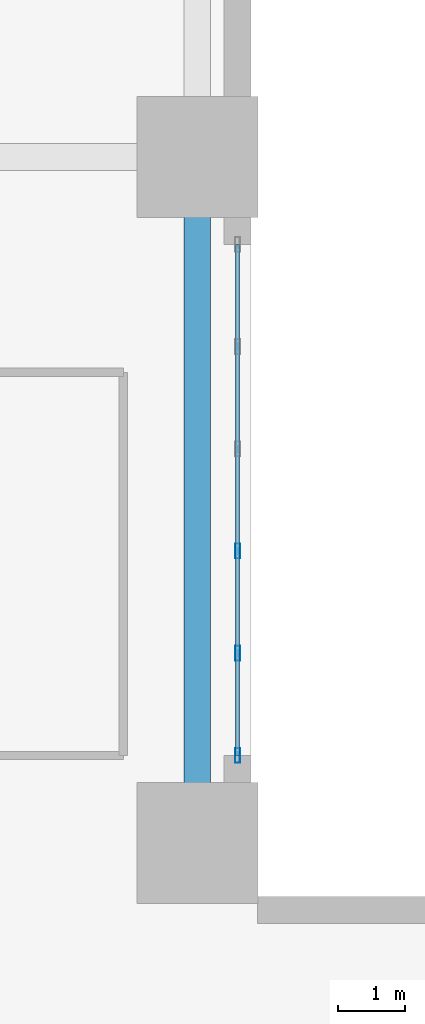
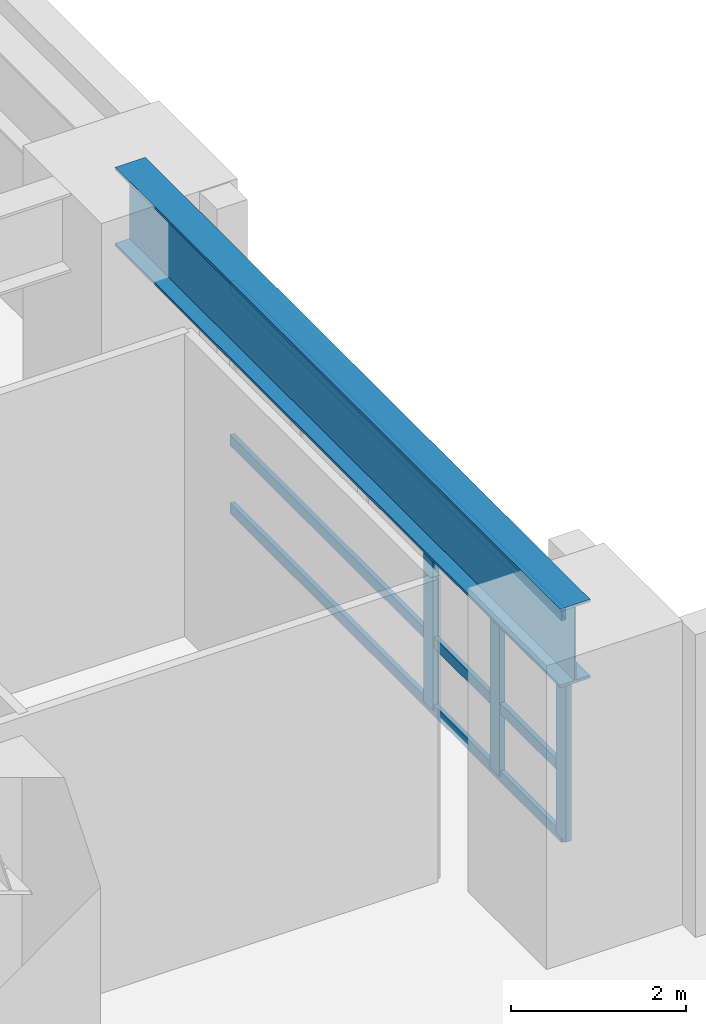
# One storey, part 2 of 13: 6 members, 1 beam, 1 element without a shape of its own.
"""IFC4 building model written with IfcOpenShell, lengths in metres."""

from ifc_helpers import new_model, si_unit, direction, frame, origin, origin_2d, place, context, subcontext, project, spatial, hollow_rectangle, i_section, extrude, source, transform, mapped, material, layer, layer_set, material_profile, profile_set, type_object, element, aggregate, save


model = new_model("IFC4")

# Units and contexts
model_context = context("Model", 3, precision=1e-05, world=origin(), true_north=direction((0.0, 1.0)))
body_context = subcontext(model_context, "Body", "Model", "MODEL_VIEW")
ifc_project = project(units=[si_unit("LENGTHUNIT", "METRE"), si_unit("AREAUNIT", "SQUARE_METRE"), si_unit("VOLUMEUNIT", "CUBIC_METRE"), si_unit("PLANEANGLEUNIT", "RADIAN"), si_unit("MASSUNIT", "GRAM", prefix="KILO")], contexts=[model_context])

# Site, building, storey
site_placement = place(None, origin())
site = spatial("IfcSite", under=ifc_project, at=site_placement, CompositionType="ELEMENT")
building_placement = place(site_placement, origin())
building = spatial("IfcBuilding", under=site, at=building_placement, Name="Kharzan Plaza Tower", CompositionType="ELEMENT")
storey_placement = place(building_placement, frame((0.0, 0.0, 4.5)))
storey = spatial("IfcBuildingStorey", under=building, at=storey_placement, Name="L01", CompositionType="ELEMENT", Elevation=4.5)

# Beam
ifc_material_1 = material(Name="Steel S355", Category="steel")
ifc_material_profile_1 = material_profile(ifc_material_1, i_section(OverallWidth=0.39990234375, OverallDepth=1.10009765625, WebThickness=0.02001953125, FlangeThickness=0.035888671875, at=origin_2d()), Name="W1100x390")
ifc_profile_set_1 = profile_set([ifc_material_profile_1], Name="Steel S355")
beam_type = type_object("IfcBeamType", Name="BM-PG1100B", PredefinedType="BEAM", material=ifc_profile_set_1)
shared_shape_1 = source(origin(), body_context, "Body", "SweptSolid", [
    extrude(i_section(OverallWidth=0.39990234375, OverallDepth=1.10009765625, WebThickness=0.02001953125, FlangeThickness=0.035888671875, at=origin_2d()), origin(), (0.0, 0.0, 1.0), 10.199951171875),
])
beam_placement = place(storey_placement, frame((26.699951171875, 26.800048828125, 3.699951171875), z_axis=(0.0, 1.0, 0.0), x_axis=(-1.0, 0.0, 0.0)))
element("IfcBeam", 1, at=beam_placement, inside=storey, type_object=beam_type, Name="L01 Podium Primary Girder PG-32", PredefinedType="BEAM", context=body_context, shape_type="MappedRepresentation", body=[
    mapped(shared_shape_1, transform((0.0, 0.0, 0.0), x_axis=(1.0, 0.0, 0.0), y_axis=(0.0, 1.0, 0.0), z_axis=(0.0, 0.0, 1.0))),
])

# Curtain wall, members
ifc_material_2 = material(Name="Unitised Bronze-Anodized Aluminium and Low-E Glass", Category="aluminium")
ifc_layer = layer(ifc_material_2, 0.199951171875)
ifc_layer_set = layer_set([ifc_layer], Name="Unitised Bronze-Anodized Aluminium and Low-E Glass")
curtain_wall_type = type_object("IfcCurtainWallType", Name="CW-PLAZA-2", PredefinedType="NOTDEFINED", material=ifc_layer_set)
curtain_wall_placement = place(storey_placement, origin())
curtain_wall = element("IfcCurtainWall", 2, at=curtain_wall_placement, inside=storey, type_object=curtain_wall_type, Name="L01 Mezzanine Oculus Colonnade Gallery Curtain Wall", PredefinedType="NOTDEFINED")
ifc_material_3 = material(Name="Anodized Bronze Aluminium", Category="aluminium")
ifc_material_profile_2 = material_profile(ifc_material_3, hollow_rectangle(XDim=0.074951171875, YDim=0.219970703125, WallThickness=0.00390625, at=origin_2d()), Name="ALU-M220x75x4")
ifc_profile_set_2 = profile_set([ifc_material_profile_2], Name="Anodized Bronze Aluminium")
member_type_1 = type_object("IfcMemberType", Name="MEM-CW-MUL200", PredefinedType="MULLION", material=ifc_profile_set_2)
shared_shape_2 = source(origin(), body_context, "Body", "SweptSolid", [
    extrude(hollow_rectangle(XDim=0.074951171875, YDim=0.219970703125, WallThickness=0.00390625, at=origin_2d()), origin(), (0.0, 0.0, 1.0), 3.10009765625),
])
member_1_placement = place(storey_placement, frame((27.300048828125, 28.10009765625, 0.0), z_axis=(0.0, 0.0, 1.0), x_axis=(1.0, 0.0, 0.0)))
member_1 = element("IfcMember", 3, at=member_1_placement, type_object=member_type_1, Name="L01 Curtain-Wall Mullion 00", PredefinedType="MULLION", context=body_context, shape_type="MappedRepresentation", body=[
    mapped(shared_shape_2, transform((0.0, 0.0, 0.0), x_axis=(1.0, 0.0, 0.0), y_axis=(0.0, 1.0, 0.0), z_axis=(0.0, 0.0, 1.0))),
])
member_2_placement = place(storey_placement, frame((27.300048828125, 29.6201171875, 0.0), z_axis=(0.0, 0.0, 1.0), x_axis=(1.0, 0.0, 0.0)))
member_2 = element("IfcMember", 4, at=member_2_placement, type_object=member_type_1, Name="L01 Curtain-Wall Mullion 01", PredefinedType="MULLION", context=body_context, shape_type="MappedRepresentation", body=[
    mapped(shared_shape_2, transform((0.0, 0.0, 0.0), x_axis=(1.0, 0.0, 0.0), y_axis=(0.0, 1.0, 0.0), z_axis=(0.0, 0.0, 1.0))),
])
member_3_placement = place(storey_placement, frame((27.300048828125, 31.139892578125, 0.0), z_axis=(0.0, 0.0, 1.0), x_axis=(1.0, 0.0, 0.0)))
member_3 = element("IfcMember", 5, at=member_3_placement, type_object=member_type_1, Name="L01 Curtain-Wall Mullion 02", PredefinedType="MULLION", context=body_context, shape_type="MappedRepresentation", body=[
    mapped(shared_shape_2, transform((0.0, 0.0, 0.0), x_axis=(1.0, 0.0, 0.0), y_axis=(0.0, 1.0, 0.0), z_axis=(0.0, 0.0, 1.0))),
])
ifc_material_profile_3 = material_profile(ifc_material_3, hollow_rectangle(XDim=0.06005859375, YDim=0.14990234375, WallThickness=0.00341796875, at=origin_2d()), Name="ALU-T150x60x3.5")
ifc_profile_set_3 = profile_set([ifc_material_profile_3], Name="Anodized Bronze Aluminium")
member_type_2 = type_object("IfcMemberType", Name="MEM-CW-TRN150", PredefinedType="USERDEFINED", material=ifc_profile_set_3)
shared_shape_3 = source(origin(), body_context, "Body", "SweptSolid", [
    extrude(hollow_rectangle(XDim=0.06005859375, YDim=0.14990234375, WallThickness=0.00341796875, at=origin_2d()), origin(), (0.0, 0.0, 1.0), 7.599853515625),
])
member_4_placement = place(storey_placement, frame((27.300048828125, 28.10009765625, 0.0), z_axis=(0.0, 1.0, 0.0), x_axis=(-1.0, 0.0, 0.0)))
member_4 = element("IfcMember", 6, at=member_4_placement, type_object=member_type_2, Name="L01 Curtain-Wall Transom 1", ObjectType="TRANSOM", PredefinedType="USERDEFINED", context=body_context, shape_type="MappedRepresentation", body=[
    mapped(shared_shape_3, transform((0.0, 0.0, 0.0), x_axis=(1.0, 0.0, 0.0), y_axis=(0.0, 1.0, 0.0), z_axis=(0.0, 0.0, 1.0))),
])
member_5_placement = place(storey_placement, frame((27.300048828125, 28.10009765625, 0.949951171875), z_axis=(0.0, 1.0, 0.0), x_axis=(-1.0, 0.0, 0.0)))
member_5 = element("IfcMember", 7, at=member_5_placement, type_object=member_type_2, Name="L01 Curtain-Wall Transom 2", ObjectType="TRANSOM", PredefinedType="USERDEFINED", context=body_context, shape_type="MappedRepresentation", body=[
    mapped(shared_shape_3, transform((0.0, 0.0, 0.0), x_axis=(1.0, 0.0, 0.0), y_axis=(0.0, 1.0, 0.0), z_axis=(0.0, 0.0, 1.0))),
])
member_6_placement = place(storey_placement, frame((27.300048828125, 28.10009765625, 3.10009765625), z_axis=(0.0, 1.0, 0.0), x_axis=(-1.0, 0.0, 0.0)))
member_6 = element("IfcMember", 8, at=member_6_placement, type_object=member_type_2, Name="L01 Curtain-Wall Transom 3", ObjectType="TRANSOM", PredefinedType="USERDEFINED", context=body_context, shape_type="MappedRepresentation", body=[
    mapped(shared_shape_3, transform((0.0, 0.0, 0.0), x_axis=(1.0, 0.0, 0.0), y_axis=(0.0, 1.0, 0.0), z_axis=(0.0, 0.0, 1.0))),
])
aggregate(curtain_wall, [member_1, member_2, member_3, member_4, member_5, member_6])

save(model, "model.ifc")
